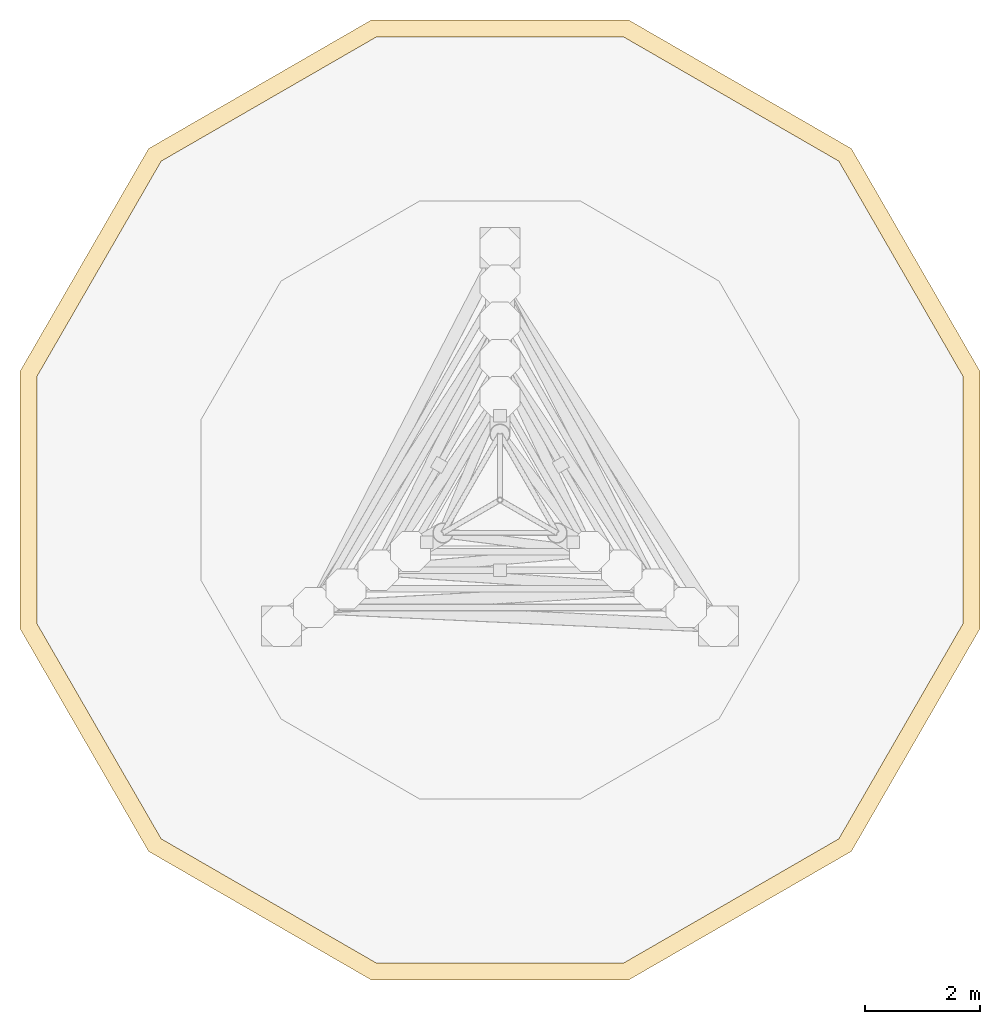
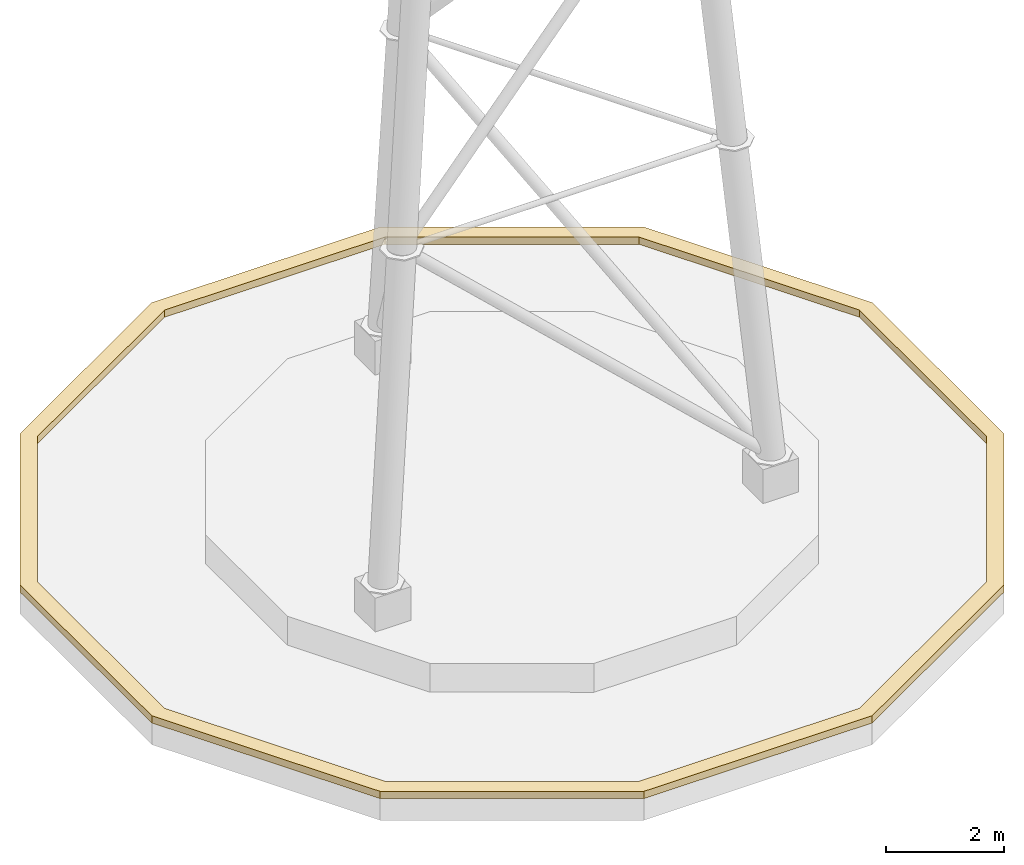
# One storey, part 6 of 7: 1 covering.
"""IFC4 building model written with IfcOpenShell, lengths in metres."""

from ifc_helpers import new_model, si_unit, direction, frame, origin, place, context, subcontext, project, spatial, polyline, outline, extrude, material, layer, layer_set, type_object, element, save


model = new_model("IFC4")

# Units and contexts
model_context = context("Model", 3, precision=1e-05, world=origin(), true_north=direction((0.0, 1.0)))
body_context = subcontext(model_context, "Body", "Model", "MODEL_VIEW")
ifc_project = project(units=[si_unit("LENGTHUNIT", "METRE"), si_unit("AREAUNIT", "SQUARE_METRE"), si_unit("VOLUMEUNIT", "CUBIC_METRE"), si_unit("PLANEANGLEUNIT", "RADIAN"), si_unit("MASSUNIT", "GRAM", prefix="KILO")], contexts=[model_context])

# Site, building, storey
site_placement = place(None, origin())
site = spatial("IfcSite", under=ifc_project, at=site_placement, CompositionType="ELEMENT")
building_placement = place(site_placement, origin())
building = spatial("IfcBuilding", under=site, at=building_placement, Name="Trine Commons Tower", CompositionType="ELEMENT")
storey_placement = place(building_placement, frame((0.0, 0.0, 314.10009765625)))
storey = spatial("IfcBuildingStorey", under=building, at=storey_placement, Name="ROOF MAST BASE", CompositionType="ELEMENT", Elevation=314.10009765625)

# Covering
ifc_material = material(Name="Limestone, honed", Category="masonry")
ifc_layer = layer(ifc_material, 0.14990234375)
ifc_layer_set = layer_set([ifc_layer], Name="Limestone, honed")
covering_type = type_object("IfcCoveringType", Name="Limestone coping 300x150", PredefinedType="CLADDING", material=ifc_layer_set)
covering_placement = place(storey_placement, frame((0.0, 0.0, 0.449951171875)))
element("IfcCovering", 1, at=covering_placement, inside=storey, type_object=covering_type, Name="Limestone coping, plant drum", PredefinedType="CLADDING", context=body_context, shape_type="SweptSolid", body=[
    extrude(outline(polyline([(88.37060546875, 64.742919921875), (86.127685546875, 68.627685546875), (82.242919921875, 70.87060546875), (77.757080078125, 70.87060546875), (73.872314453125, 68.627685546875), (71.62939453125, 64.742919921875), (71.62939453125, 60.257080078125), (73.872314453125, 56.372314453125), (77.757080078125, 54.12939453125), (82.242919921875, 54.12939453125), (86.127685546875, 56.372314453125), (88.37060546875, 60.257080078125), (88.37060546875, 64.742919921875)]), holes=[polyline([(88.070556640625, 64.66259765625), (85.908203125, 68.408203125), (82.16259765625, 70.570556640625), (77.83740234375, 70.570556640625), (74.091796875, 68.408203125), (71.929443359375, 64.66259765625), (71.929443359375, 60.33740234375), (74.091796875, 56.591796875), (77.83740234375, 54.429443359375), (82.16259765625, 54.429443359375), (85.908203125, 56.591796875), (88.070556640625, 60.33740234375), (88.070556640625, 64.66259765625)])]), origin(), (0.0, 0.0, 1.0), 0.14990234375),
])

save(model, "model.ifc")
